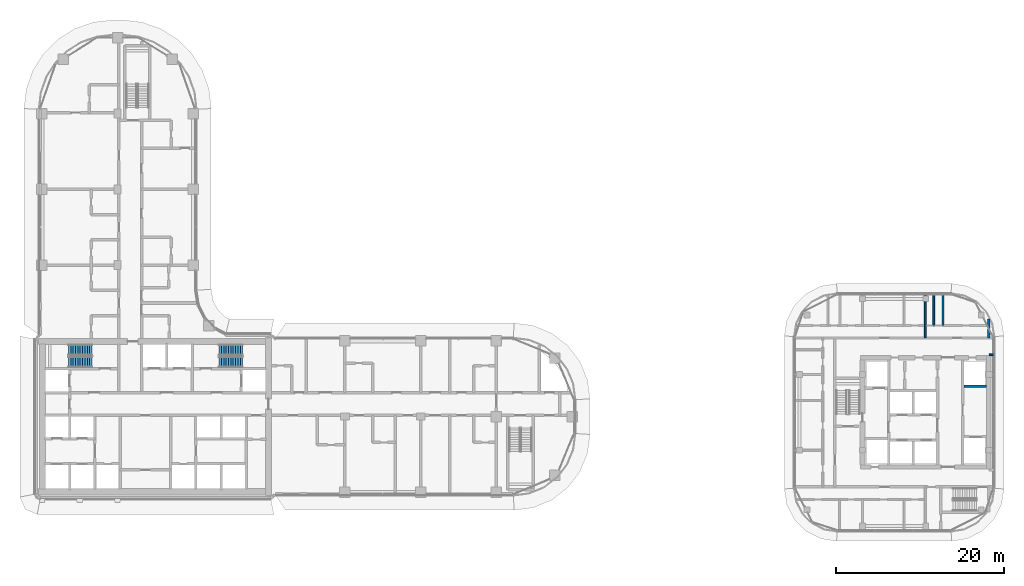
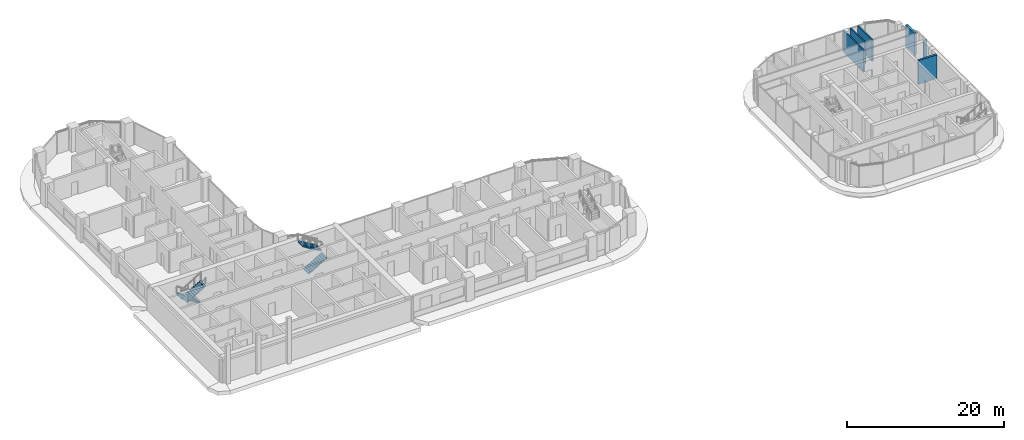
# One storey, part 22 of 33: 6 walls, 4 stair flights, 2 elements without a shape of their own.
"""IFC4 building model written with IfcOpenShell, lengths in metres."""

from ifc_helpers import new_model, si_unit, direction, frame, frame_2d, origin, place, context, subcontext, project, spatial, rectangle, extrude, triangles, source, transform, mapped, material, layer, layer_set, type_object, element, aggregate, save


model = new_model("IFC4")

# Units and contexts
model_context = context("Model", 3, precision=1e-05, world=origin(), true_north=direction((0.0, 1.0)))
body_context = subcontext(model_context, "Body", "Model", "MODEL_VIEW")
ifc_project = project(units=[si_unit("LENGTHUNIT", "METRE"), si_unit("AREAUNIT", "SQUARE_METRE"), si_unit("VOLUMEUNIT", "CUBIC_METRE"), si_unit("PLANEANGLEUNIT", "RADIAN"), si_unit("MASSUNIT", "GRAM", prefix="KILO")], contexts=[model_context])

# Site, building, storey
site_placement = place(None, origin())
site = spatial("IfcSite", under=ifc_project, at=site_placement, CompositionType="ELEMENT")
building_placement = place(site_placement, origin())
building = spatial("IfcBuilding", under=site, at=building_placement, Name="Ogive Portal Towers", CompositionType="ELEMENT")
storey_placement = place(building_placement, frame((0.0, 0.0, 98.199951171875)))
storey = spatial("IfcBuildingStorey", under=building, at=storey_placement, Name="L23", CompositionType="ELEMENT", Elevation=98.199951171875)

# Walls
ifc_material_1 = material(Name="Concrete C60/75", Category="concrete")
ifc_layer_1 = layer(ifc_material_1, 0.300048828125)
ifc_layer_set_1 = layer_set([ifc_layer_1], Name="CORE WALL 300 C60")
wall_type_1 = type_object("IfcWallType", Name="CORE WALL 300 C60", PredefinedType="SHEAR", material=ifc_layer_set_1)
wall_1_placement = place(storey_placement, frame((141.050048828125, 34.10009765625, 0.0), z_axis=(0.0, 0.0, 1.0), x_axis=(1.0, 0.0, 0.0)))
element("IfcWall", 1, at=wall_1_placement, inside=storey, type_object=wall_type_1, Name="Tower B core wall BY7 L23", PredefinedType="SHEAR", context=body_context, shape_type="SweptSolid", body=[
    extrude(rectangle(XDim=2.699951171875, YDim=0.300048828125, at=frame_2d((1.35009765625, 0.0))), origin(), (0.0, 0.0, 1.0), 3.699951171875),
])
ifc_material_2 = material(Name="Gypsum board partition on steel studs", Category="steel")
ifc_layer_2 = layer(ifc_material_2, 0.199951171875)
ifc_layer_set_2 = layer_set([ifc_layer_2], Name="WT-PART-200-EI 60")
wall_type_2 = type_object("IfcWallType", Name="WT-PART-200-EI 60", PredefinedType="PARTITIONING", material=ifc_layer_set_2)
wall_2_placement = place(storey_placement, frame((144.02001953125, 37.85009765625, 0.0), z_axis=(0.0, 0.0, 1.0), x_axis=(1.0, 0.0, 0.0)))
element("IfcWall", 2, at=wall_2_placement, inside=storey, type_object=wall_type_2, Name="Wall L23:w012", PredefinedType="PARTITIONING", context=body_context, shape_type="SweptSolid", body=[
    extrude(rectangle(XDim=0.510009765625, YDim=0.199951171875, at=frame_2d((0.2548828125, 0.0))), origin(), (0.0, 0.0, 1.0), 3.400146484375),
])
wall_3_placement = place(storey_placement, frame((136.449951171875, 39.85009765625, 0.0), z_axis=(0.0, 0.0, 1.0), x_axis=(0.0, 1.0, 0.0)))
element("IfcWall", 3, at=wall_3_placement, inside=storey, type_object=wall_type_2, Name="Wall L23:w029", PredefinedType="PARTITIONING", context=body_context, shape_type="SweptSolid", body=[
    extrude(rectangle(XDim=5.179931640625, YDim=0.199951171875, at=frame_2d((2.58984375, 0.0))), origin(), (0.0, 0.0, 1.0), 3.400146484375),
])
for number, where, z_axis, x_axis, name in (
    (4, (137.449951171875, 41.330078125, 0.0), (0.0, 0.0, 1.0), (0.0, 1.0, 0.0), "Wall L23:w030"),
    (5, (138.550048828125, 41.330078125, 0.0), (0.0, 0.0, 1.0), (0.0, 1.0, 0.0), "Wall L23:w032"),
):
    element("IfcWall", number, at=place(storey_placement, frame(where, z_axis=z_axis, x_axis=x_axis)), inside=storey, type_object=wall_type_2, Name=name, PredefinedType="PARTITIONING", context=body_context, shape_type="SweptSolid", body=[
        extrude(rectangle(XDim=3.699951171875, YDim=0.199951171875, at=frame_2d((1.85009765625, 0.0))), origin(), (0.0, 0.0, 1.0), 3.400146484375),
    ])
ifc_layer_3 = layer(ifc_material_2, 0.300048828125)
ifc_layer_set_3 = layer_set([ifc_layer_3], Name="WT-PART-300-EI 60")
wall_type_3 = type_object("IfcWallType", Name="WT-PART-300-EI 60", PredefinedType="PARTITIONING", material=ifc_layer_set_3)
wall_4_placement = place(storey_placement, frame((144.0, 39.85009765625, 0.0), z_axis=(0.0, 0.0, 1.0), x_axis=(0.0, 1.0, 0.0)))
element("IfcWall", 6, at=wall_4_placement, inside=storey, type_object=wall_type_3, Name="Wall L23:w035", PredefinedType="PARTITIONING", context=body_context, shape_type="SweptSolid", body=[
    extrude(rectangle(XDim=2.2587890625, YDim=0.300048828125, at=frame_2d((1.12939453125, 0.0))), origin(), (0.0, 0.0, 1.0), 3.400146484375),
])

# Stair, stair flights
ifc_material_3 = material(Name="Concrete C40/50", Category="concrete")
stair_type = type_object("IfcStairType", Name="INT-STAIR", PredefinedType="HALF_TURN_STAIR", material=ifc_material_3)
stair_1_placement = place(storey_placement, origin())
stair_1 = element("IfcStair", 7, at=stair_1_placement, inside=storey, type_object=stair_type, Name="L23 Exit Stair ST-A1", PredefinedType="HALF_TURN_STAIR")
stair_flight_type = type_object("IfcStairFlightType", Name="INT-FLIGHT", PredefinedType="STRAIGHT", material=ifc_material_3)
shared_shape = source(origin(), body_context, "Body", "Tessellation", [
    triangles([(0.0, -0.650146484375, 0.0), (0.0, -0.376220703125, 0.0), (0.0, -0.192626953125, 0.0), (0.0, -0.081298828125, 0.0), (0.0, -0.024169921875, 0.0), (0.0, -0.003173828125, 0.0), (0.0, 0.0, 0.0), (0.0, 0.0029296875, 0.0), (0.0, 0.02392578125, 0.0), (0.0, 0.0810546875, 0.0), (0.0, 0.1923828125, 0.0), (0.0, 0.3759765625, 0.0), (0.0, 0.64990234375, 0.0), (0.0, -0.650146484375, 0.168212890625), (0.0, -0.376220703125, 0.168212890625), (0.0, -0.192626953125, 0.168212890625), (0.0, -0.081298828125, 0.168212890625), (0.0, -0.024169921875, 0.168212890625), (0.0, -0.003173828125, 0.168212890625), (0.0, 0.0, 0.168212890625), (0.0, 0.0029296875, 0.168212890625), (0.0, 0.02392578125, 0.168212890625), (0.0, 0.0810546875, 0.168212890625), (0.0, 0.1923828125, 0.168212890625), (0.0, 0.3759765625, 0.168212890625), (0.0, 0.64990234375, 0.168212890625), (0.280029296875, -0.650146484375, 0.168212890625), (0.280029296875, -0.376220703125, 0.168212890625), (0.280029296875, -0.192626953125, 0.168212890625), (0.280029296875, -0.081298828125, 0.168212890625), (0.280029296875, -0.024169921875, 0.168212890625), (0.280029296875, -0.003173828125, 0.168212890625), (0.280029296875, 0.0, 0.168212890625), (0.280029296875, 0.0029296875, 0.168212890625), (0.280029296875, 0.02392578125, 0.168212890625), (0.280029296875, 0.0810546875, 0.168212890625), (0.280029296875, 0.1923828125, 0.168212890625), (0.280029296875, 0.3759765625, 0.168212890625), (0.280029296875, 0.64990234375, 0.168212890625), (0.280029296875, -0.650146484375, 0.33642578125), (0.280029296875, -0.376220703125, 0.33642578125), (0.280029296875, -0.192626953125, 0.33642578125), (0.280029296875, -0.081298828125, 0.33642578125), (0.280029296875, -0.024169921875, 0.33642578125), (0.280029296875, -0.003173828125, 0.33642578125), (0.280029296875, 0.0, 0.33642578125), (0.280029296875, 0.0029296875, 0.33642578125), (0.280029296875, 0.02392578125, 0.33642578125), (0.280029296875, 0.0810546875, 0.33642578125), (0.280029296875, 0.1923828125, 0.33642578125), (0.280029296875, 0.3759765625, 0.33642578125), (0.280029296875, 0.64990234375, 0.33642578125), (0.56005859375, -0.650146484375, 0.33642578125), (0.56005859375, -0.376220703125, 0.33642578125), (0.56005859375, -0.192626953125, 0.33642578125), (0.56005859375, -0.081298828125, 0.33642578125), (0.56005859375, -0.024169921875, 0.33642578125), (0.56005859375, -0.003173828125, 0.33642578125), (0.56005859375, 0.0, 0.33642578125), (0.56005859375, 0.0029296875, 0.33642578125), (0.56005859375, 0.02392578125, 0.33642578125), (0.56005859375, 0.0810546875, 0.33642578125), (0.56005859375, 0.1923828125, 0.33642578125), (0.56005859375, 0.3759765625, 0.33642578125), (0.56005859375, 0.64990234375, 0.33642578125), (0.56005859375, -0.650146484375, 0.504638671875), (0.56005859375, -0.376220703125, 0.504638671875), (0.56005859375, -0.192626953125, 0.504638671875), (0.56005859375, -0.081298828125, 0.504638671875), (0.56005859375, -0.024169921875, 0.504638671875), (0.56005859375, -0.003173828125, 0.504638671875), (0.56005859375, 0.0, 0.504638671875), (0.56005859375, 0.0029296875, 0.504638671875), (0.56005859375, 0.02392578125, 0.504638671875), (0.56005859375, 0.0810546875, 0.504638671875), (0.56005859375, 0.1923828125, 0.504638671875), (0.56005859375, 0.3759765625, 0.504638671875), (0.56005859375, 0.64990234375, 0.504638671875), (0.840087890625, -0.650146484375, 0.504638671875), (0.840087890625, -0.376220703125, 0.504638671875), (0.840087890625, -0.192626953125, 0.504638671875), (0.840087890625, -0.081298828125, 0.504638671875), (0.840087890625, -0.024169921875, 0.504638671875), (0.840087890625, -0.003173828125, 0.504638671875), (0.840087890625, 0.0, 0.504638671875), (0.840087890625, 0.0029296875, 0.504638671875), (0.840087890625, 0.02392578125, 0.504638671875), (0.840087890625, 0.0810546875, 0.504638671875), (0.840087890625, 0.1923828125, 0.504638671875), (0.840087890625, 0.3759765625, 0.504638671875), (0.840087890625, 0.64990234375, 0.504638671875), (0.840087890625, -0.650146484375, 0.672607421875), (0.840087890625, -0.376220703125, 0.672607421875), (0.840087890625, -0.192626953125, 0.672607421875), (0.840087890625, -0.081298828125, 0.672607421875), (0.840087890625, -0.024169921875, 0.672607421875), (0.840087890625, -0.003173828125, 0.672607421875), (0.840087890625, 0.0, 0.672607421875), (0.840087890625, 0.0029296875, 0.672607421875), (0.840087890625, 0.02392578125, 0.672607421875), (0.840087890625, 0.0810546875, 0.672607421875), (0.840087890625, 0.1923828125, 0.672607421875), (0.840087890625, 0.3759765625, 0.672607421875), (0.840087890625, 0.64990234375, 0.672607421875), (1.1201171875, -0.650146484375, 0.672607421875), (1.1201171875, -0.376220703125, 0.672607421875), (1.1201171875, -0.192626953125, 0.672607421875), (1.1201171875, -0.081298828125, 0.672607421875), (1.1201171875, -0.024169921875, 0.672607421875), (1.1201171875, -0.003173828125, 0.672607421875), (1.1201171875, 0.0, 0.672607421875), (1.1201171875, 0.0029296875, 0.672607421875), (1.1201171875, 0.02392578125, 0.672607421875), (1.1201171875, 0.0810546875, 0.672607421875), (1.1201171875, 0.1923828125, 0.672607421875), (1.1201171875, 0.3759765625, 0.672607421875), (1.1201171875, 0.64990234375, 0.672607421875), (1.1201171875, -0.650146484375, 0.8408203125), (1.1201171875, -0.376220703125, 0.8408203125), (1.1201171875, -0.192626953125, 0.8408203125), (1.1201171875, -0.081298828125, 0.8408203125), (1.1201171875, -0.024169921875, 0.8408203125), (1.1201171875, -0.003173828125, 0.8408203125), (1.1201171875, 0.0, 0.8408203125), (1.1201171875, 0.0029296875, 0.8408203125), (1.1201171875, 0.02392578125, 0.8408203125), (1.1201171875, 0.0810546875, 0.8408203125), (1.1201171875, 0.1923828125, 0.8408203125), (1.1201171875, 0.3759765625, 0.8408203125), (1.1201171875, 0.64990234375, 0.8408203125), (1.39990234375, -0.650146484375, 0.8408203125), (1.39990234375, -0.376220703125, 0.8408203125), (1.39990234375, -0.192626953125, 0.8408203125), (1.39990234375, -0.081298828125, 0.8408203125), (1.39990234375, -0.024169921875, 0.8408203125), (1.39990234375, -0.003173828125, 0.8408203125), (1.39990234375, 0.0, 0.8408203125), (1.39990234375, 0.0029296875, 0.8408203125), (1.39990234375, 0.02392578125, 0.8408203125), (1.39990234375, 0.0810546875, 0.8408203125), (1.39990234375, 0.1923828125, 0.8408203125), (1.39990234375, 0.3759765625, 0.8408203125), (1.39990234375, 0.64990234375, 0.8408203125), (1.39990234375, -0.650146484375, 1.009033203125), (1.39990234375, -0.376220703125, 1.009033203125), (1.39990234375, -0.192626953125, 1.009033203125), (1.39990234375, -0.081298828125, 1.009033203125), (1.39990234375, -0.024169921875, 1.009033203125), (1.39990234375, -0.003173828125, 1.009033203125), (1.39990234375, 0.0, 1.009033203125), (1.39990234375, 0.0029296875, 1.009033203125), (1.39990234375, 0.02392578125, 1.009033203125), (1.39990234375, 0.0810546875, 1.009033203125), (1.39990234375, 0.1923828125, 1.009033203125), (1.39990234375, 0.3759765625, 1.009033203125), (1.39990234375, 0.64990234375, 1.009033203125), (1.679931640625, -0.650146484375, 1.009033203125), (1.679931640625, -0.376220703125, 1.009033203125), (1.679931640625, -0.192626953125, 1.009033203125), (1.679931640625, -0.081298828125, 1.009033203125), (1.679931640625, -0.024169921875, 1.009033203125), (1.679931640625, -0.003173828125, 1.009033203125), (1.679931640625, 0.0, 1.009033203125), (1.679931640625, 0.0029296875, 1.009033203125), (1.679931640625, 0.02392578125, 1.009033203125), (1.679931640625, 0.0810546875, 1.009033203125), (1.679931640625, 0.1923828125, 1.009033203125), (1.679931640625, 0.3759765625, 1.009033203125), (1.679931640625, 0.64990234375, 1.009033203125), (1.679931640625, -0.650146484375, 1.17724609375), (1.679931640625, -0.376220703125, 1.17724609375), (1.679931640625, -0.192626953125, 1.17724609375), (1.679931640625, -0.081298828125, 1.17724609375), (1.679931640625, -0.024169921875, 1.17724609375), (1.679931640625, -0.003173828125, 1.17724609375), (1.679931640625, 0.0, 1.17724609375), (1.679931640625, 0.0029296875, 1.17724609375), (1.679931640625, 0.02392578125, 1.17724609375), (1.679931640625, 0.0810546875, 1.17724609375), (1.679931640625, 0.1923828125, 1.17724609375), (1.679931640625, 0.3759765625, 1.17724609375), (1.679931640625, 0.64990234375, 1.17724609375), (1.9599609375, -0.650146484375, 1.17724609375), (1.9599609375, -0.376220703125, 1.17724609375), (1.9599609375, -0.192626953125, 1.17724609375), (1.9599609375, -0.081298828125, 1.17724609375), (1.9599609375, -0.024169921875, 1.17724609375), (1.9599609375, -0.003173828125, 1.17724609375), (1.9599609375, 0.0, 1.17724609375), (1.9599609375, 0.0029296875, 1.17724609375), (1.9599609375, 0.02392578125, 1.17724609375), (1.9599609375, 0.0810546875, 1.17724609375), (1.9599609375, 0.1923828125, 1.17724609375), (1.9599609375, 0.3759765625, 1.17724609375), (1.9599609375, 0.64990234375, 1.17724609375), (1.9599609375, -0.650146484375, 1.345458984375), (1.9599609375, -0.376220703125, 1.345458984375), (1.9599609375, -0.192626953125, 1.345458984375), (1.9599609375, -0.081298828125, 1.345458984375), (1.9599609375, -0.024169921875, 1.345458984375), (1.9599609375, -0.003173828125, 1.345458984375), (1.9599609375, 0.0, 1.345458984375), (1.9599609375, 0.0029296875, 1.345458984375), (1.9599609375, 0.02392578125, 1.345458984375), (1.9599609375, 0.0810546875, 1.345458984375), (1.9599609375, 0.1923828125, 1.345458984375), (1.9599609375, 0.3759765625, 1.345458984375), (1.9599609375, 0.64990234375, 1.345458984375), (2.239990234375, -0.650146484375, 1.345458984375), (2.239990234375, -0.376220703125, 1.345458984375), (2.239990234375, -0.192626953125, 1.345458984375), (2.239990234375, -0.081298828125, 1.345458984375), (2.239990234375, -0.024169921875, 1.345458984375), (2.239990234375, -0.003173828125, 1.345458984375), (2.239990234375, 0.0, 1.345458984375), (2.239990234375, 0.0029296875, 1.345458984375), (2.239990234375, 0.02392578125, 1.345458984375), (2.239990234375, 0.0810546875, 1.345458984375), (2.239990234375, 0.1923828125, 1.345458984375), (2.239990234375, 0.3759765625, 1.345458984375), (2.239990234375, 0.64990234375, 1.345458984375), (2.239990234375, -0.650146484375, 1.513671875), (2.239990234375, -0.376220703125, 1.513671875), (2.239990234375, -0.192626953125, 1.513671875), (2.239990234375, -0.081298828125, 1.513671875), (2.239990234375, -0.024169921875, 1.513671875), (2.239990234375, -0.003173828125, 1.513671875), (2.239990234375, 0.0, 1.513671875), (2.239990234375, 0.0029296875, 1.513671875), (2.239990234375, 0.02392578125, 1.513671875), (2.239990234375, 0.0810546875, 1.513671875), (2.239990234375, 0.1923828125, 1.513671875), (2.239990234375, 0.3759765625, 1.513671875), (2.239990234375, 0.64990234375, 1.513671875), (2.52001953125, -0.650146484375, 1.513671875), (2.52001953125, -0.376220703125, 1.513671875), (2.52001953125, -0.192626953125, 1.513671875), (2.52001953125, -0.081298828125, 1.513671875), (2.52001953125, -0.024169921875, 1.513671875), (2.52001953125, -0.003173828125, 1.513671875), (2.52001953125, 0.0, 1.513671875), (2.52001953125, 0.0029296875, 1.513671875), (2.52001953125, 0.02392578125, 1.513671875), (2.52001953125, 0.0810546875, 1.513671875), (2.52001953125, 0.1923828125, 1.513671875), (2.52001953125, 0.3759765625, 1.513671875), (2.52001953125, 0.64990234375, 1.513671875), (2.52001953125, -0.650146484375, 1.681884765625), (2.52001953125, -0.376220703125, 1.681884765625), (2.52001953125, -0.192626953125, 1.681884765625), (2.52001953125, -0.081298828125, 1.681884765625), (2.52001953125, -0.024169921875, 1.681884765625), (2.52001953125, -0.003173828125, 1.681884765625), (2.52001953125, 0.0, 1.681884765625), (2.52001953125, 0.0029296875, 1.681884765625), (2.52001953125, 0.02392578125, 1.681884765625), (2.52001953125, 0.0810546875, 1.681884765625), (2.52001953125, 0.1923828125, 1.681884765625), (2.52001953125, 0.3759765625, 1.681884765625), (2.52001953125, 0.64990234375, 1.681884765625), (2.800048828125, -0.650146484375, 1.681884765625), (2.800048828125, -0.376220703125, 1.681884765625), (2.800048828125, -0.192626953125, 1.681884765625), (2.800048828125, -0.081298828125, 1.681884765625), (2.800048828125, -0.024169921875, 1.681884765625), (2.800048828125, -0.003173828125, 1.681884765625), (2.800048828125, 0.0, 1.681884765625), (2.800048828125, 0.0029296875, 1.681884765625), (2.800048828125, 0.02392578125, 1.681884765625), (2.800048828125, 0.0810546875, 1.681884765625), (2.800048828125, 0.1923828125, 1.681884765625), (2.800048828125, 0.3759765625, 1.681884765625), (2.800048828125, 0.64990234375, 1.681884765625), (2.800048828125, -0.650146484375, 1.5068359375), (2.800048828125, -0.376220703125, 1.5068359375), (2.800048828125, -0.192626953125, 1.5068359375), (2.800048828125, -0.081298828125, 1.5068359375), (2.800048828125, -0.024169921875, 1.5068359375), (2.800048828125, -0.003173828125, 1.5068359375), (2.800048828125, 0.0, 1.5068359375), (2.800048828125, 0.0029296875, 1.5068359375), (2.800048828125, 0.02392578125, 1.5068359375), (2.800048828125, 0.0810546875, 1.5068359375), (2.800048828125, 0.1923828125, 1.5068359375), (2.800048828125, 0.3759765625, 1.5068359375), (2.800048828125, 0.64990234375, 1.5068359375), (0.291015625, -0.650146484375, 0.0), (0.291015625, -0.376220703125, 0.0), (0.291015625, -0.192626953125, 0.0), (0.291015625, -0.081298828125, 0.0), (0.291015625, -0.024169921875, 0.0), (0.291015625, -0.003173828125, 0.0), (0.291015625, 0.0, 0.0), (0.291015625, 0.0029296875, 0.0), (0.291015625, 0.02392578125, 0.0), (0.291015625, 0.0810546875, 0.0), (0.291015625, 0.1923828125, 0.0), (0.291015625, 0.3759765625, 0.0), (0.291015625, 0.64990234375, 0.0)], [[1, 14, 15], [1, 15, 2], [2, 15, 16], [2, 16, 3], [3, 16, 17], [3, 17, 4], [4, 17, 18], [4, 18, 5], [5, 18, 19], [5, 19, 6], [6, 19, 20], [6, 20, 7], [7, 20, 21], [7, 21, 8], [8, 21, 22], [8, 22, 9], [9, 22, 23], [9, 23, 10], [10, 23, 24], [10, 24, 11], [11, 24, 25], [11, 25, 12], [12, 25, 26], [12, 26, 13], [14, 27, 28], [14, 28, 15], [15, 28, 29], [15, 29, 16], [16, 29, 30], [16, 30, 17], [17, 30, 31], [17, 31, 18], [18, 31, 32], [18, 32, 19], [19, 32, 33], [19, 33, 20], [20, 33, 34], [20, 34, 21], [21, 34, 35], [21, 35, 22], [22, 35, 36], [22, 36, 23], [23, 36, 37], [23, 37, 24], [24, 37, 38], [24, 38, 25], [25, 38, 39], [25, 39, 26], [27, 40, 41], [27, 41, 28], [28, 41, 42], [28, 42, 29], [29, 42, 43], [29, 43, 30], [30, 43, 44], [30, 44, 31], [31, 44, 45], [31, 45, 32], [32, 45, 46], [32, 46, 33], [33, 46, 47], [33, 47, 34], [34, 47, 48], [34, 48, 35], [35, 48, 49], [35, 49, 36], [36, 49, 50], [36, 50, 37], [37, 50, 51], [37, 51, 38], [38, 51, 52], [38, 52, 39], [40, 53, 54], [40, 54, 41], [41, 54, 55], [41, 55, 42], [42, 55, 56], [42, 56, 43], [43, 56, 57], [43, 57, 44], [44, 57, 58], [44, 58, 45], [45, 58, 59], [45, 59, 46], [46, 59, 60], [46, 60, 47], [47, 60, 61], [47, 61, 48], [48, 61, 62], [48, 62, 49], [49, 62, 63], [49, 63, 50], [50, 63, 64], [50, 64, 51], [51, 64, 65], [51, 65, 52], [53, 66, 67], [53, 67, 54], [54, 67, 68], [54, 68, 55], [55, 68, 69], [55, 69, 56], [56, 69, 70], [56, 70, 57], [57, 70, 71], [57, 71, 58], [58, 71, 72], [58, 72, 59], [59, 72, 73], [59, 73, 60], [60, 73, 74], [60, 74, 61], [61, 74, 75], [61, 75, 62], [62, 75, 76], [62, 76, 63], [63, 76, 77], [63, 77, 64], [64, 77, 78], [64, 78, 65], [66, 79, 80], [66, 80, 67], [67, 80, 81], [67, 81, 68], [68, 81, 82], [68, 82, 69], [69, 82, 83], [69, 83, 70], [70, 83, 84], [70, 84, 71], [71, 84, 85], [71, 85, 72], [72, 85, 86], [72, 86, 73], [73, 86, 87], [73, 87, 74], [74, 87, 88], [74, 88, 75], [75, 88, 89], [75, 89, 76], [76, 89, 90], [76, 90, 77], [77, 90, 91], [77, 91, 78], [79, 92, 93], [79, 93, 80], [80, 93, 94], [80, 94, 81], [81, 94, 95], [81, 95, 82], [82, 95, 96], [82, 96, 83], [83, 96, 97], [83, 97, 84], [84, 97, 98], [84, 98, 85], [85, 98, 99], [85, 99, 86], [86, 99, 100], [86, 100, 87], [87, 100, 101], [87, 101, 88], [88, 101, 102], [88, 102, 89], [89, 102, 103], [89, 103, 90], [90, 103, 104], [90, 104, 91], [92, 105, 106], [92, 106, 93], [93, 106, 107], [93, 107, 94], [94, 107, 108], [94, 108, 95], [95, 108, 109], [95, 109, 96], [96, 109, 110], [96, 110, 97], [97, 110, 111], [97, 111, 98], [98, 111, 112], [98, 112, 99], [99, 112, 113], [99, 113, 100], [100, 113, 114], [100, 114, 101], [101, 114, 115], [101, 115, 102], [102, 115, 116], [102, 116, 103], [103, 116, 117], [103, 117, 104], [105, 118, 119], [105, 119, 106], [106, 119, 120], [106, 120, 107], [107, 120, 121], [107, 121, 108], [108, 121, 122], [108, 122, 109], [109, 122, 123], [109, 123, 110], [110, 123, 124], [110, 124, 111], [111, 124, 125], [111, 125, 112], [112, 125, 126], [112, 126, 113], [113, 126, 127], [113, 127, 114], [114, 127, 128], [114, 128, 115], [115, 128, 129], [115, 129, 116], [116, 129, 130], [116, 130, 117], [118, 131, 132], [118, 132, 119], [119, 132, 133], [119, 133, 120], [120, 133, 134], [120, 134, 121], [121, 134, 135], [121, 135, 122], [122, 135, 136], [122, 136, 123], [123, 136, 137], [123, 137, 124], [124, 137, 138], [124, 138, 125], [125, 138, 139], [125, 139, 126], [126, 139, 140], [126, 140, 127], [127, 140, 141], [127, 141, 128], [128, 141, 142], [128, 142, 129], [129, 142, 143], [129, 143, 130], [131, 144, 145], [131, 145, 132], [132, 145, 146], [132, 146, 133], [133, 146, 147], [133, 147, 134], [134, 147, 148], [134, 148, 135], [135, 148, 149], [135, 149, 136], [136, 149, 150], [136, 150, 137], [137, 150, 151], [137, 151, 138], [138, 151, 152], [138, 152, 139], [139, 152, 153], [139, 153, 140], [140, 153, 154], [140, 154, 141], [141, 154, 155], [141, 155, 142], [142, 155, 156], [142, 156, 143], [144, 157, 158], [144, 158, 145], [145, 158, 159], [145, 159, 146], [146, 159, 160], [146, 160, 147], [147, 160, 161], [147, 161, 148], [148, 161, 162], [148, 162, 149], [149, 162, 163], [149, 163, 150], [150, 163, 164], [150, 164, 151], [151, 164, 165], [151, 165, 152], [152, 165, 166], [152, 166, 153], [153, 166, 167], [153, 167, 154], [154, 167, 168], [154, 168, 155], [155, 168, 169], [155, 169, 156], [157, 170, 171], [157, 171, 158], [158, 171, 172], [158, 172, 159], [159, 172, 173], [159, 173, 160], [160, 173, 174], [160, 174, 161], [161, 174, 175], [161, 175, 162], [162, 175, 176], [162, 176, 163], [163, 176, 177], [163, 177, 164], [164, 177, 178], [164, 178, 165], [165, 178, 179], [165, 179, 166], [166, 179, 180], [166, 180, 167], [167, 180, 181], [167, 181, 168], [168, 181, 182], [168, 182, 169], [170, 183, 184], [170, 184, 171], [171, 184, 185], [171, 185, 172], [172, 185, 186], [172, 186, 173], [173, 186, 187], [173, 187, 174], [174, 187, 188], [174, 188, 175], [175, 188, 189], [175, 189, 176], [176, 189, 190], [176, 190, 177], [177, 190, 191], [177, 191, 178], [178, 191, 192], [178, 192, 179], [179, 192, 193], [179, 193, 180], [180, 193, 194], [180, 194, 181], [181, 194, 195], [181, 195, 182], [183, 196, 197], [183, 197, 184], [184, 197, 198], [184, 198, 185], [185, 198, 199], [185, 199, 186], [186, 199, 200], [186, 200, 187], [187, 200, 201], [187, 201, 188], [188, 201, 202], [188, 202, 189], [189, 202, 203], [189, 203, 190], [190, 203, 204], [190, 204, 191], [191, 204, 205], [191, 205, 192], [192, 205, 206], [192, 206, 193], [193, 206, 207], [193, 207, 194], [194, 207, 208], [194, 208, 195], [196, 209, 210], [196, 210, 197], [197, 210, 211], [197, 211, 198], [198, 211, 212], [198, 212, 199], [199, 212, 213], [199, 213, 200], [200, 213, 214], [200, 214, 201], [201, 214, 215], [201, 215, 202], [202, 215, 216], [202, 216, 203], [203, 216, 217], [203, 217, 204], [204, 217, 218], [204, 218, 205], [205, 218, 219], [205, 219, 206], [206, 219, 220], [206, 220, 207], [207, 220, 221], [207, 221, 208], [209, 222, 223], [209, 223, 210], [210, 223, 224], [210, 224, 211], [211, 224, 225], [211, 225, 212], [212, 225, 226], [212, 226, 213], [213, 226, 227], [213, 227, 214], [214, 227, 228], [214, 228, 215], [215, 228, 229], [215, 229, 216], [216, 229, 230], [216, 230, 217], [217, 230, 231], [217, 231, 218], [218, 231, 232], [218, 232, 219], [219, 232, 233], [219, 233, 220], [220, 233, 234], [220, 234, 221], [222, 235, 236], [222, 236, 223], [223, 236, 237], [223, 237, 224], [224, 237, 238], [224, 238, 225], [225, 238, 239], [225, 239, 226], [226, 239, 240], [226, 240, 227], [227, 240, 241], [227, 241, 228], [228, 241, 242], [228, 242, 229], [229, 242, 243], [229, 243, 230], [230, 243, 244], [230, 244, 231], [231, 244, 245], [231, 245, 232], [232, 245, 246], [232, 246, 233], [233, 246, 247], [233, 247, 234], [235, 248, 249], [235, 249, 236], [236, 249, 250], [236, 250, 237], [237, 250, 251], [237, 251, 238], [238, 251, 252], [238, 252, 239], [239, 252, 253], [239, 253, 240], [240, 253, 254], [240, 254, 241], [241, 254, 255], [241, 255, 242], [242, 255, 256], [242, 256, 243], [243, 256, 257], [243, 257, 244], [244, 257, 258], [244, 258, 245], [245, 258, 259], [245, 259, 246], [246, 259, 260], [246, 260, 247], [248, 261, 262], [248, 262, 249], [249, 262, 263], [249, 263, 250], [250, 263, 264], [250, 264, 251], [251, 264, 265], [251, 265, 252], [252, 265, 266], [252, 266, 253], [253, 266, 267], [253, 267, 254], [254, 267, 268], [254, 268, 255], [255, 268, 269], [255, 269, 256], [256, 269, 270], [256, 270, 257], [257, 270, 271], [257, 271, 258], [258, 271, 272], [258, 272, 259], [259, 272, 273], [259, 273, 260], [261, 274, 275], [261, 275, 262], [262, 275, 276], [262, 276, 263], [263, 276, 277], [263, 277, 264], [264, 277, 278], [264, 278, 265], [265, 278, 279], [265, 279, 266], [266, 279, 280], [266, 280, 267], [267, 280, 281], [267, 281, 268], [268, 281, 282], [268, 282, 269], [269, 282, 283], [269, 283, 270], [270, 283, 284], [270, 284, 271], [271, 284, 285], [271, 285, 272], [272, 285, 286], [272, 286, 273], [274, 287, 288], [274, 288, 275], [275, 288, 289], [275, 289, 276], [276, 289, 290], [276, 290, 277], [277, 290, 291], [277, 291, 278], [278, 291, 292], [278, 292, 279], [279, 292, 293], [279, 293, 280], [280, 293, 294], [280, 294, 281], [281, 294, 295], [281, 295, 282], [282, 295, 296], [282, 296, 283], [283, 296, 297], [283, 297, 284], [284, 297, 298], [284, 298, 285], [285, 298, 299], [285, 299, 286], [287, 1, 2], [287, 2, 288], [288, 2, 3], [288, 3, 289], [289, 3, 4], [289, 4, 290], [290, 4, 5], [290, 5, 291], [291, 5, 6], [291, 6, 292], [292, 6, 7], [292, 7, 293], [293, 7, 8], [293, 8, 294], [294, 8, 9], [294, 9, 295], [295, 9, 10], [295, 10, 296], [296, 10, 11], [296, 11, 297], [297, 11, 12], [297, 12, 298], [298, 12, 13], [298, 13, 299], [1, 287, 274], [13, 286, 299], [274, 261, 248], [286, 260, 273], [274, 248, 235], [286, 247, 260], [274, 235, 222], [286, 234, 247], [274, 222, 209], [286, 221, 234], [209, 196, 183], [221, 195, 208], [274, 209, 183], [286, 195, 221], [183, 170, 157], [195, 169, 182], [274, 183, 157], [286, 169, 195], [157, 144, 131], [169, 143, 156], [274, 157, 131], [286, 143, 169], [131, 118, 105], [143, 117, 130], [274, 131, 105], [286, 117, 143], [1, 274, 105], [13, 117, 286], [105, 92, 79], [117, 91, 104], [79, 66, 53], [91, 65, 78], [105, 79, 53], [117, 65, 91], [53, 40, 27], [65, 39, 52], [105, 53, 27], [117, 39, 65], [1, 105, 27], [13, 39, 117], [27, 14, 1], [39, 13, 26]], closed=True),
])
stair_flight_1_placement = place(storey_placement, frame((37.449951171875, 38.39990234375, 0.0), z_axis=(0.0, 0.0, 1.0), x_axis=(-1.0, 0.0, 0.0)))
stair_flight_1 = element("IfcStairFlight", 8, at=stair_flight_1_placement, type_object=stair_flight_type, Name="ST-A1 flight 1", NumberOfRisers=11, NumberOfTreads=10, PredefinedType="STRAIGHT", RiserHeight=0.168181818, TreadLength=0.28, context=body_context, shape_type="MappedRepresentation", body=[
    mapped(shared_shape, transform((0.0, 0.0, 0.0), scale=1.0)),
])
stair_flight_2_placement = place(storey_placement, frame((34.64990234375, 37.0, 1.85009765625), z_axis=(0.0, 0.0, 1.0), x_axis=(1.0, 0.0, 0.0)))
stair_flight_2 = element("IfcStairFlight", 9, at=stair_flight_2_placement, type_object=stair_flight_type, Name="ST-A1 flight 2", NumberOfRisers=11, NumberOfTreads=10, PredefinedType="STRAIGHT", RiserHeight=0.168181818, TreadLength=0.28, context=body_context, shape_type="MappedRepresentation", body=[
    mapped(shared_shape, transform((0.0, 0.0, 0.0), scale=1.0)),
])
aggregate(stair_1, [stair_flight_1, stair_flight_2])

stair_2_placement = place(storey_placement, origin())
stair_2 = element("IfcStair", 10, at=stair_2_placement, inside=storey, type_object=stair_type, Name="L23 Exit Stair ST-A2", PredefinedType="HALF_TURN_STAIR")
stair_flight_3_placement = place(storey_placement, frame((52.550048828125, 37.0, 0.0), z_axis=(0.0, 0.0, 1.0), x_axis=(1.0, 0.0, 0.0)))
stair_flight_3 = element("IfcStairFlight", 11, at=stair_flight_3_placement, type_object=stair_flight_type, Name="ST-A2 flight 1", NumberOfRisers=11, NumberOfTreads=10, PredefinedType="STRAIGHT", RiserHeight=0.168181818, TreadLength=0.28, context=body_context, shape_type="MappedRepresentation", body=[
    mapped(shared_shape, transform((0.0, 0.0, 0.0), scale=1.0)),
])
stair_flight_4_placement = place(storey_placement, frame((55.35009765625, 38.39990234375, 1.85009765625), z_axis=(0.0, 0.0, 1.0), x_axis=(-1.0, 0.0, 0.0)))
stair_flight_4 = element("IfcStairFlight", 12, at=stair_flight_4_placement, type_object=stair_flight_type, Name="ST-A2 flight 2", NumberOfRisers=11, NumberOfTreads=10, PredefinedType="STRAIGHT", RiserHeight=0.168181818, TreadLength=0.28, context=body_context, shape_type="MappedRepresentation", body=[
    mapped(shared_shape, transform((0.0, 0.0, 0.0), scale=1.0)),
])
aggregate(stair_2, [stair_flight_3, stair_flight_4])

save(model, "model.ifc")
